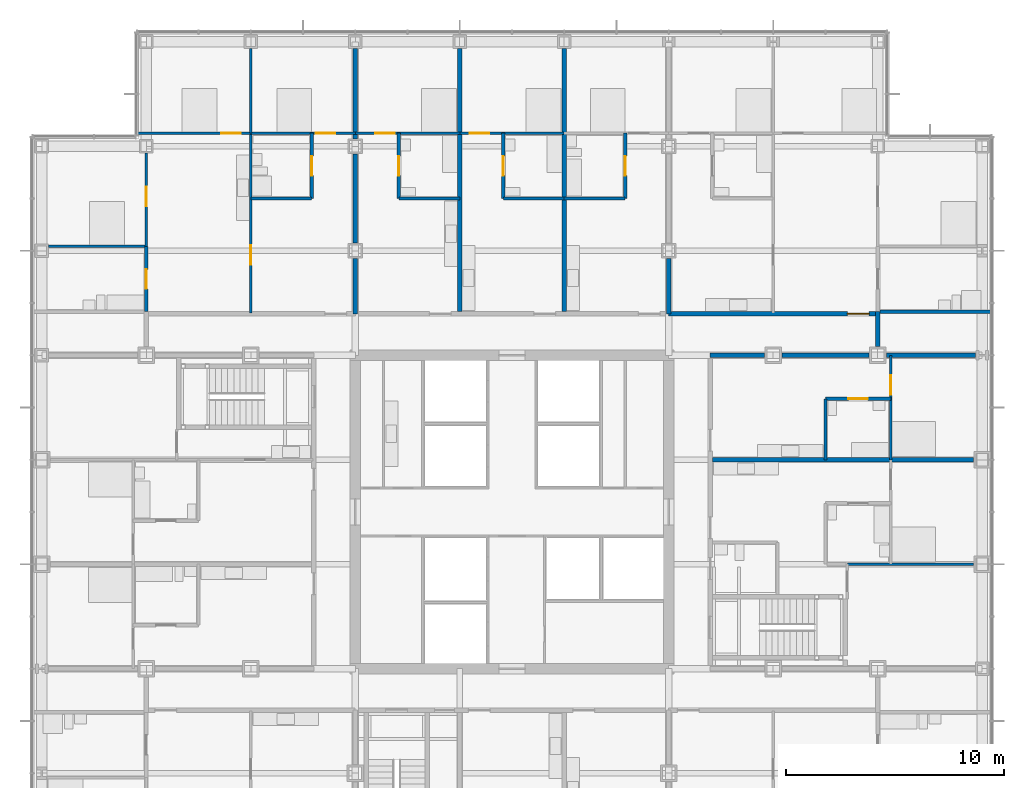
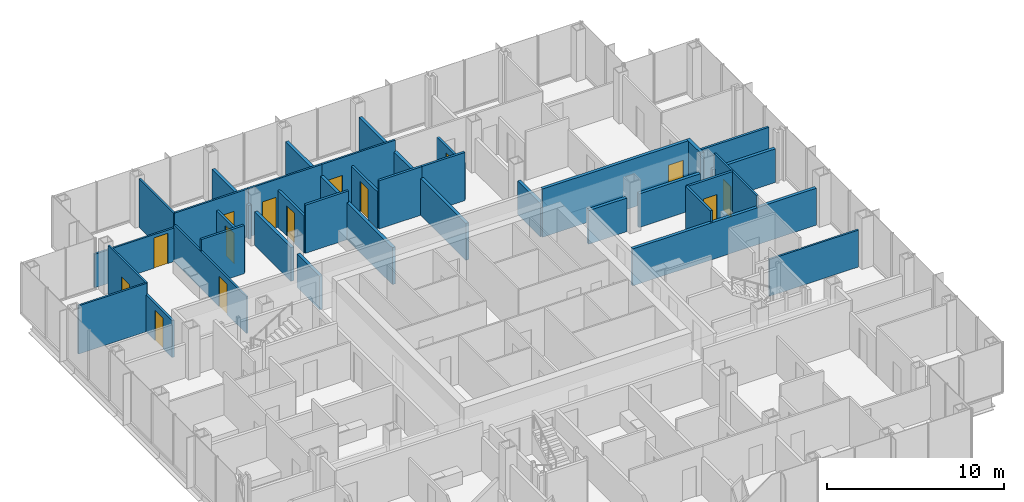
# One storey, part 17 of 21: 34 walls, 14 doors, 14 openings.
"""IFC4 building model written with IfcOpenShell, lengths in metres."""

from ifc_helpers import new_model, si_unit, direction, frame, frame_2d, origin, place, context, subcontext, project, spatial, rectangle, extrude, material, layer, layer_set, type_object, element, fill, save


model = new_model("IFC4")

# Units and contexts
model_context = context("Model", 3, precision=1e-05, world=origin(), true_north=direction((0.0, 1.0)))
body_context = subcontext(model_context, "Body", "Model", "MODEL_VIEW")
ifc_project = project(units=[si_unit("LENGTHUNIT", "METRE"), si_unit("AREAUNIT", "SQUARE_METRE"), si_unit("VOLUMEUNIT", "CUBIC_METRE"), si_unit("PLANEANGLEUNIT", "RADIAN"), si_unit("MASSUNIT", "GRAM", prefix="KILO")], contexts=[model_context])

# Site, building, storey
site_placement = place(None, origin())
site = spatial("IfcSite", under=ifc_project, at=site_placement, CompositionType="ELEMENT")
building_placement = place(site_placement, origin())
building = spatial("IfcBuilding", under=site, at=building_placement, Name="Kvirike Care Tower", CompositionType="ELEMENT")
storey_placement = place(building_placement, frame((0.0, 0.0, 51.5)))
storey = spatial("IfcBuildingStorey", under=building, at=storey_placement, Name="L13", CompositionType="ELEMENT", Elevation=51.5)

# Wall, opening, door
ifc_material_1 = material(Name="Moisture-resistant board partition", Category="gypsum")
ifc_layer_1 = layer(ifc_material_1, 0.14990234375)
ifc_layer_set_1 = layer_set([ifc_layer_1], Name="BATHROOM WALL 150")
wall_type_1 = type_object("IfcWallType", Name="BATHROOM WALL 150", PredefinedType="PARTITIONING", material=ifc_layer_set_1)
wall_1_placement = place(storey_placement, frame((12.39990234375, 53.39990234375, 0.0), z_axis=(0.0, 0.0, 1.0), x_axis=(0.0, -1.0, 0.0)))
wall_1 = element("IfcWall", 1, at=wall_1_placement, inside=storey, type_object=wall_type_1, Name="Bathroom Wall 150 L13", PredefinedType="PARTITIONING", context=body_context, shape_type="SweptSolid", body=[
    extrude(rectangle(XDim=3.0, YDim=0.14990234375, at=frame_2d((1.5, 0.0))), origin(), (0.0, 0.0, 1.0), 2.550048828125),
])
opening_1_placement = place(wall_1_placement, frame((1.050048828125, 0.0, 0.0)))
opening_1 = element("IfcOpeningElement", 2, at=opening_1_placement, cuts=wall_1, Name="Opening 13-017", PredefinedType="OPENING", context=body_context, shape_type="SweptSolid", body=[
    extrude(rectangle(XDim=0.89990234375, YDim=2.10009765625, at=frame_2d((0.449951171875, 1.050048828125))), frame((0.0, 0.08544921875, 0.0), z_axis=(0.0, -1.0, 0.0), x_axis=(1.0, 0.0, 0.0)), (0.0, 0.0, 1.0), 0.1708984375),
])
ifc_material_2 = material(Name="Timber door set", Category="wood")
door_type_1 = type_object("IfcDoorType", Name="BATHROOM DOOR 900", OperationType="SINGLE_SWING_RIGHT", PredefinedType="DOOR", material=ifc_material_2)
door_1_placement = place(opening_1_placement, frame((0.89990234375, 0.0, 0.0), z_axis=(0.0, 0.0, 1.0), x_axis=(-1.0, 0.0, 0.0)))
door_1 = element("IfcDoor", 3, at=door_1_placement, inside=storey, type_object=door_type_1, Name="Shower room door", OperationType="SINGLE_SWING_LEFT", OverallHeight=2.10009765625, OverallWidth=0.89990234375, PredefinedType="DOOR", context=body_context, shape_type="SweptSolid", body=[
    extrude(rectangle(XDim=0.89990234375, YDim=2.10009765625, at=frame_2d((0.449951171875, 1.050048828125))), frame((0.0, 0.02197265625, 0.0), z_axis=(0.0, -1.0, 0.0), x_axis=(1.0, 0.0, 0.0)), (0.0, 0.0, 1.0), 0.0439453125),
])
fill(opening_1, door_1)

# Wall
wall_2_placement = place(storey_placement, frame((12.39990234375, 50.39990234375, 0.0), z_axis=(0.0, 0.0, 1.0), x_axis=(-1.0, 0.0, 0.0)))
element("IfcWall", 4, at=wall_2_placement, inside=storey, type_object=wall_type_1, Name="Bathroom Wall 150 L13", PredefinedType="PARTITIONING", context=body_context, shape_type="SweptSolid", body=[
    extrude(rectangle(XDim=2.7998046875, YDim=0.14990234375, at=frame_2d((1.39990234375, 0.0))), origin(), (0.0, 0.0, 1.0), 3.330078125),
])

# Wall, opening, door
wall_3_placement = place(storey_placement, frame((4.800048828125, 48.199951171875, 0.0), z_axis=(0.0, 0.0, 1.0), x_axis=(0.0, -1.0, 0.0)))
wall_3 = element("IfcWall", 5, at=wall_3_placement, inside=storey, type_object=wall_type_1, Name="Bathroom Wall 150 L13", PredefinedType="PARTITIONING", context=body_context, shape_type="SweptSolid", body=[
    extrude(rectangle(XDim=3.0, YDim=0.14990234375, at=frame_2d((1.5, 0.0))), origin(), (0.0, 0.0, 1.0), 2.550048828125),
])
opening_2_placement = place(wall_3_placement, frame((1.050048828125, 0.0, 0.0)))
opening_2 = element("IfcOpeningElement", 6, at=opening_2_placement, cuts=wall_3, Name="Opening 13-018", PredefinedType="OPENING", context=body_context, shape_type="SweptSolid", body=[
    extrude(rectangle(XDim=0.89990234375, YDim=2.10009765625, at=frame_2d((0.449951171875, 1.050048828125))), frame((0.0, 0.08544921875, 0.0), z_axis=(0.0, -1.0, 0.0), x_axis=(1.0, 0.0, 0.0)), (0.0, 0.0, 1.0), 0.1708984375),
])
door_2_placement = place(opening_2_placement, frame((0.89990234375, 0.0, 0.0), z_axis=(0.0, 0.0, 1.0), x_axis=(-1.0, 0.0, 0.0)))
door_2 = element("IfcDoor", 7, at=door_2_placement, inside=storey, type_object=door_type_1, Name="Bathroom door", OperationType="SINGLE_SWING_RIGHT", OverallHeight=2.10009765625, OverallWidth=0.89990234375, PredefinedType="DOOR", context=body_context, shape_type="SweptSolid", body=[
    extrude(rectangle(XDim=0.89990234375, YDim=2.10009765625, at=frame_2d((0.449951171875, 1.050048828125))), frame((0.0, 0.02197265625, 0.0), z_axis=(0.0, -1.0, 0.0), x_axis=(1.0, 0.0, 0.0)), (0.0, 0.0, 1.0), 0.0439453125),
])
fill(opening_2, door_2)

wall_4_placement = place(storey_placement, frame((26.800048828125, 53.39990234375, 0.0), z_axis=(0.0, 0.0, 1.0), x_axis=(0.0, -1.0, 0.0)))
wall_4 = element("IfcWall", 8, at=wall_4_placement, inside=storey, type_object=wall_type_1, Name="Bathroom Wall 150 L13", PredefinedType="PARTITIONING", context=body_context, shape_type="SweptSolid", body=[
    extrude(rectangle(XDim=3.0, YDim=0.14990234375, at=frame_2d((1.5, 0.0))), origin(), (0.0, 0.0, 1.0), 2.550048828125),
])
opening_3_placement = place(wall_4_placement, frame((1.050048828125, 0.0, 0.0)))
opening_3 = element("IfcOpeningElement", 9, at=opening_3_placement, cuts=wall_4, Name="Opening 13-032", PredefinedType="OPENING", context=body_context, shape_type="SweptSolid", body=[
    extrude(rectangle(XDim=0.89990234375, YDim=2.10009765625, at=frame_2d((0.449951171875, 1.050048828125))), frame((0.0, 0.08544921875, 0.0), z_axis=(0.0, -1.0, 0.0), x_axis=(1.0, 0.0, 0.0)), (0.0, 0.0, 1.0), 0.1708984375),
])
door_3_placement = place(opening_3_placement, frame((0.89990234375, 0.0, 0.0), z_axis=(0.0, 0.0, 1.0), x_axis=(-1.0, 0.0, 0.0)))
door_3 = element("IfcDoor", 10, at=door_3_placement, inside=storey, type_object=door_type_1, Name="Bathroom door", OperationType="SINGLE_SWING_RIGHT", OverallHeight=2.10009765625, OverallWidth=0.89990234375, PredefinedType="DOOR", context=body_context, shape_type="SweptSolid", body=[
    extrude(rectangle(XDim=0.89990234375, YDim=2.10009765625, at=frame_2d((0.449951171875, 1.050048828125))), frame((0.0, 0.02197265625, 0.0), z_axis=(0.0, -1.0, 0.0), x_axis=(1.0, 0.0, 0.0)), (0.0, 0.0, 1.0), 0.0439453125),
])
fill(opening_3, door_3)

# Wall
wall_5_placement = place(storey_placement, frame((26.800048828125, 50.39990234375, 0.0), z_axis=(0.0, 0.0, 1.0), x_axis=(-1.0, 0.0, 0.0)))
element("IfcWall", 11, at=wall_5_placement, inside=storey, type_object=wall_type_1, Name="Bathroom Wall 150 L13", PredefinedType="PARTITIONING", context=body_context, shape_type="SweptSolid", body=[
    extrude(rectangle(XDim=2.800048828125, YDim=0.14990234375, at=frame_2d((1.39990234375, 0.0))), origin(), (0.0, 0.0, 1.0), 3.330078125),
])

# Wall, opening, door
wall_6_placement = place(storey_placement, frame((21.199951171875, 53.39990234375, 0.0), z_axis=(0.0, 0.0, 1.0), x_axis=(0.0, -1.0, 0.0)))
wall_6 = element("IfcWall", 12, at=wall_6_placement, inside=storey, type_object=wall_type_1, Name="Bathroom Wall 150 L13", PredefinedType="PARTITIONING", context=body_context, shape_type="SweptSolid", body=[
    extrude(rectangle(XDim=3.0, YDim=0.14990234375, at=frame_2d((1.5, 0.0))), origin(), (0.0, 0.0, 1.0), 2.550048828125),
])
opening_4_placement = place(wall_6_placement, frame((1.050048828125, 0.0, 0.0)))
opening_4 = element("IfcOpeningElement", 13, at=opening_4_placement, cuts=wall_6, Name="Opening 13-034", PredefinedType="OPENING", context=body_context, shape_type="SweptSolid", body=[
    extrude(rectangle(XDim=0.89990234375, YDim=2.10009765625, at=frame_2d((0.449951171875, 1.050048828125))), frame((0.0, 0.08544921875, 0.0), z_axis=(0.0, -1.0, 0.0), x_axis=(1.0, 0.0, 0.0)), (0.0, 0.0, 1.0), 0.1708984375),
])
door_4_placement = place(opening_4_placement, origin())
door_4 = element("IfcDoor", 14, at=door_4_placement, inside=storey, type_object=door_type_1, Name="Bathroom door", OperationType="SINGLE_SWING_RIGHT", OverallHeight=2.10009765625, OverallWidth=0.89990234375, PredefinedType="DOOR", context=body_context, shape_type="SweptSolid", body=[
    extrude(rectangle(XDim=0.89990234375, YDim=2.10009765625, at=frame_2d((0.449951171875, 1.050048828125))), frame((0.0, 0.02197265625, 0.0), z_axis=(0.0, -1.0, 0.0), x_axis=(1.0, 0.0, 0.0)), (0.0, 0.0, 1.0), 0.0439453125),
])
fill(opening_4, door_4)

# Wall
wall_7_placement = place(storey_placement, frame((24.0, 50.39990234375, 0.0), z_axis=(0.0, 0.0, 1.0), x_axis=(-1.0, 0.0, 0.0)))
element("IfcWall", 15, at=wall_7_placement, inside=storey, type_object=wall_type_1, Name="Bathroom Wall 150 L13", PredefinedType="PARTITIONING", context=body_context, shape_type="SweptSolid", body=[
    extrude(rectangle(XDim=2.800048828125, YDim=0.14990234375, at=frame_2d((1.39990234375, 0.0))), origin(), (0.0, 0.0, 1.0), 3.330078125),
])

# Wall, opening, door
wall_8_placement = place(storey_placement, frame((16.39990234375, 53.39990234375, 0.0), z_axis=(0.0, 0.0, 1.0), x_axis=(0.0, -1.0, 0.0)))
wall_8 = element("IfcWall", 16, at=wall_8_placement, inside=storey, type_object=wall_type_1, Name="Bathroom Wall 150 L13", PredefinedType="PARTITIONING", context=body_context, shape_type="SweptSolid", body=[
    extrude(rectangle(XDim=3.0, YDim=0.14990234375, at=frame_2d((1.5, 0.0))), origin(), (0.0, 0.0, 1.0), 2.550048828125),
])
opening_5_placement = place(wall_8_placement, frame((1.050048828125, 0.0, 0.0)))
opening_5 = element("IfcOpeningElement", 17, at=opening_5_placement, cuts=wall_8, Name="Opening 13-036", PredefinedType="OPENING", context=body_context, shape_type="SweptSolid", body=[
    extrude(rectangle(XDim=0.89990234375, YDim=2.10009765625, at=frame_2d((0.449951171875, 1.050048828125))), frame((0.0, 0.08544921875, 0.0), z_axis=(0.0, -1.0, 0.0), x_axis=(1.0, 0.0, 0.0)), (0.0, 0.0, 1.0), 0.1708984375),
])
door_5_placement = place(opening_5_placement, origin())
door_5 = element("IfcDoor", 18, at=door_5_placement, inside=storey, type_object=door_type_1, Name="Bathroom door", OperationType="SINGLE_SWING_LEFT", OverallHeight=2.10009765625, OverallWidth=0.89990234375, PredefinedType="DOOR", context=body_context, shape_type="SweptSolid", body=[
    extrude(rectangle(XDim=0.89990234375, YDim=2.10009765625, at=frame_2d((0.449951171875, 1.050048828125))), frame((0.0, 0.02197265625, 0.0), z_axis=(0.0, -1.0, 0.0), x_axis=(1.0, 0.0, 0.0)), (0.0, 0.0, 1.0), 0.0439453125),
])
fill(opening_5, door_5)

# Wall
wall_9_placement = place(storey_placement, frame((19.199951171875, 50.39990234375, 0.0), z_axis=(0.0, 0.0, 1.0), x_axis=(-1.0, 0.0, 0.0)))
element("IfcWall", 19, at=wall_9_placement, inside=storey, type_object=wall_type_1, Name="Bathroom Wall 150 L13", PredefinedType="PARTITIONING", context=body_context, shape_type="SweptSolid", body=[
    extrude(rectangle(XDim=2.800048828125, YDim=0.14990234375, at=frame_2d((1.39990234375, 0.0))), origin(), (0.0, 0.0, 1.0), 3.330078125),
])

# Wall, opening, door
wall_10_placement = place(storey_placement, frame((39.0, 41.199951171875, 0.0), z_axis=(0.0, 0.0, 1.0), x_axis=(-1.0, 0.0, 0.0)))
wall_10 = element("IfcWall", 20, at=wall_10_placement, inside=storey, type_object=wall_type_1, Name="Bathroom Wall 150 L13", PredefinedType="PARTITIONING", context=body_context, shape_type="SweptSolid", body=[
    extrude(rectangle(XDim=3.0, YDim=0.14990234375, at=frame_2d((1.5, 0.0))), origin(), (0.0, 0.0, 1.0), 3.330078125),
])
opening_6_placement = place(wall_10_placement, frame((1.050048828125, 0.0, 0.0)))
opening_6 = element("IfcOpeningElement", 21, at=opening_6_placement, cuts=wall_10, Name="Opening 13-051", PredefinedType="OPENING", context=body_context, shape_type="SweptSolid", body=[
    extrude(rectangle(XDim=0.89990234375, YDim=2.10009765625, at=frame_2d((0.449951171875, 1.050048828125))), frame((0.0, 0.08544921875, 0.0), z_axis=(0.0, -1.0, 0.0), x_axis=(1.0, 0.0, 0.0)), (0.0, 0.0, 1.0), 0.1708984375),
])
door_6_placement = place(opening_6_placement, origin())
door_6 = element("IfcDoor", 22, at=door_6_placement, inside=storey, type_object=door_type_1, Name="Bathroom door", OperationType="SINGLE_SWING_LEFT", OverallHeight=2.10009765625, OverallWidth=0.89990234375, PredefinedType="DOOR", context=body_context, shape_type="SweptSolid", body=[
    extrude(rectangle(XDim=0.89990234375, YDim=2.10009765625, at=frame_2d((0.449951171875, 1.050048828125))), frame((0.0, 0.02197265625, 0.0), z_axis=(0.0, -1.0, 0.0), x_axis=(1.0, 0.0, 0.0)), (0.0, 0.0, 1.0), 0.0439453125),
])
fill(opening_6, door_6)

# Walls
wall_11_placement = place(storey_placement, frame((36.0, 38.39990234375, 0.0), z_axis=(0.0, 0.0, 1.0), x_axis=(0.0, 1.0, 0.0)))
element("IfcWall", 23, at=wall_11_placement, inside=storey, type_object=wall_type_1, Name="Bathroom Wall 150 L13", PredefinedType="PARTITIONING", context=body_context, shape_type="SweptSolid", body=[
    extrude(rectangle(XDim=2.800048828125, YDim=0.14990234375, at=frame_2d((1.39990234375, 0.0))), origin(), (0.0, 0.0, 1.0), 3.330078125),
])
wall_12_placement = place(storey_placement, frame((43.6298828125, 45.199951171875, 0.0), z_axis=(0.0, 0.0, 1.0), x_axis=(-1.0, 0.0, 0.0)))
element("IfcWall", 24, at=wall_12_placement, inside=storey, type_object=wall_type_1, Name="Bathroom Wall 150 L13", PredefinedType="PARTITIONING", context=body_context, shape_type="SweptSolid", body=[
    extrude(rectangle(XDim=5.1298828125, YDim=0.14990234375, at=frame_2d((2.56494140625, 0.0))), origin(), (0.0, 0.0, 1.0), 2.320068359375),
])

# Wall, opening, door
ifc_material_3 = material(Name="Plasterboard corridor wall", Category="gypsum")
ifc_layer_2 = layer(ifc_material_3, 0.199951171875)
ifc_layer_set_2 = layer_set([ifc_layer_2], Name="CORRIDOR WALL 200")
wall_type_2 = type_object("IfcWallType", Name="CORRIDOR WALL 200", PredefinedType="PARTITIONING", material=ifc_layer_set_2)
wall_13_placement = place(storey_placement, frame((38.39990234375, 45.10009765625, 0.0), z_axis=(0.0, 0.0, 1.0), x_axis=(-1.0, 0.0, 0.0)))
wall_13 = element("IfcWall", 25, at=wall_13_placement, inside=storey, type_object=wall_type_2, Name="Corridor Wall 200 L13", PredefinedType="PARTITIONING", context=body_context, shape_type="SweptSolid", body=[
    extrude(rectangle(XDim=9.599853515625, YDim=0.199951171875, at=frame_2d((4.7998046875, 0.0))), origin(), (0.0, 0.0, 1.0), 3.330078125),
])
opening_7_placement = place(wall_13_placement, frame((0.39990234375, 0.0, 0.0)))
opening_7 = element("IfcOpeningElement", 26, at=opening_7_placement, cuts=wall_13, Name="Opening 13-063", PredefinedType="OPENING", context=body_context, shape_type="SweptSolid", body=[
    extrude(rectangle(XDim=1.0, YDim=2.10009765625, at=frame_2d((0.5, 1.050048828125))), frame((0.0, 0.110595703125, 0.0), z_axis=(0.0, -1.0, 0.0), x_axis=(1.0, 0.0, 0.0)), (0.0, 0.0, 1.0), 0.220947265625),
])
ifc_material_4 = material(Name="Timber door set", Category="wood")
door_type_2 = type_object("IfcDoorType", Name="FLAT ENTRANCE DOOR 1000", OperationType="SINGLE_SWING_LEFT", PredefinedType="DOOR", material=ifc_material_4)
door_7_placement = place(opening_7_placement, frame((1.0, 0.0, 0.0), z_axis=(0.0, 0.0, 1.0), x_axis=(-1.0, 0.0, 0.0)))
door_7 = element("IfcDoor", 27, at=door_7_placement, inside=storey, type_object=door_type_2, Name="Three-bedroom corner apartment entrance", OperationType="SINGLE_SWING_LEFT", OverallHeight=2.10009765625, OverallWidth=1.0, PredefinedType="DOOR", context=body_context, shape_type="SweptSolid", body=[
    extrude(rectangle(XDim=1.0, YDim=2.10009765625, at=frame_2d((0.5, 1.050048828125))), frame((0.0, 0.02685546875, 0.0), z_axis=(0.0, -1.0, 0.0), x_axis=(1.0, 0.0, 0.0)), (0.0, 0.0, 1.0), 0.053955078125),
])
fill(opening_7, door_7)

# Wall
wall_14_placement = place(storey_placement, frame((38.39990234375, 45.199951171875, 0.0), z_axis=(0.0, 0.0, 1.0), x_axis=(0.0, -1.0, 0.0)))
element("IfcWall", 28, at=wall_14_placement, inside=storey, type_object=wall_type_2, Name="Corridor Wall 200 L13", PredefinedType="PARTITIONING", context=body_context, shape_type="SweptSolid", body=[
    extrude(rectangle(XDim=1.60498046875, YDim=0.199951171875, at=frame_2d((0.802490234375, 0.0))), origin(), (0.0, 0.0, 1.0), 3.330078125),
])

# Wall, opening, door
ifc_material_5 = material(Name="Plasterboard partition", Category="gypsum")
ifc_layer_3 = layer(ifc_material_5, 0.1201171875)
ifc_layer_set_3 = layer_set([ifc_layer_3], Name="PARTITION 120")
wall_type_3 = type_object("IfcWallType", Name="PARTITION 120", PredefinedType="PARTITIONING", material=ifc_layer_set_3)
wall_15_placement = place(storey_placement, frame((9.60009765625, 53.39990234375, 0.0), z_axis=(0.0, 0.0, 1.0), x_axis=(0.0, -1.0, 0.0)))
wall_15 = element("IfcWall", 29, at=wall_15_placement, inside=storey, type_object=wall_type_3, Name="Partition 120 L13", PredefinedType="PARTITIONING", context=body_context, shape_type="SweptSolid", body=[
    extrude(rectangle(XDim=8.25, YDim=0.1201171875, at=frame_2d((4.125, 0.0))), origin(), (0.0, 0.0, 1.0), 2.550048828125),
])
opening_8_placement = place(wall_15_placement, frame((5.14990234375, 0.0, 0.0)))
opening_8 = element("IfcOpeningElement", 30, at=opening_8_placement, cuts=wall_15, Name="Opening 13-019", PredefinedType="OPENING", context=body_context, shape_type="SweptSolid", body=[
    extrude(rectangle(XDim=0.89990234375, YDim=2.10009765625, at=frame_2d((0.449951171875, 1.050048828125))), frame((0.0, 0.070556640625, 0.0), z_axis=(0.0, -1.0, 0.0), x_axis=(1.0, 0.0, 0.0)), (0.0, 0.0, 1.0), 0.14111328125),
])
ifc_material_6 = material(Name="Timber door set", Category="wood")
door_type_3 = type_object("IfcDoorType", Name="INTERNAL DOOR 900", OperationType="SINGLE_SWING_LEFT", PredefinedType="DOOR", material=ifc_material_6)
door_8_placement = place(opening_8_placement, origin())
door_8 = element("IfcDoor", 31, at=door_8_placement, inside=storey, type_object=door_type_3, Name="Hall door", OperationType="SINGLE_SWING_RIGHT", OverallHeight=2.10009765625, OverallWidth=0.89990234375, PredefinedType="DOOR", context=body_context, shape_type="SweptSolid", body=[
    extrude(rectangle(XDim=0.89990234375, YDim=2.10009765625, at=frame_2d((0.449951171875, 1.050048828125))), frame((0.0, 0.02197265625, 0.0), z_axis=(0.0, -1.0, 0.0), x_axis=(1.0, 0.0, 0.0)), (0.0, 0.0, 1.0), 0.0439453125),
])
fill(opening_8, door_8)

wall_16_placement = place(storey_placement, frame((14.39990234375, 53.39990234375, 0.0), z_axis=(0.0, 0.0, 1.0), x_axis=(-1.0, 0.0, 0.0)))
wall_16 = element("IfcWall", 32, at=wall_16_placement, inside=storey, type_object=wall_type_3, Name="Partition 120 L13", PredefinedType="PARTITIONING", context=body_context, shape_type="SweptSolid", body=[
    extrude(rectangle(XDim=4.7998046875, YDim=0.1201171875, at=frame_2d((2.39990234375, 0.0))), origin(), (0.0, 0.0, 1.0), 3.330078125),
])
opening_9_placement = place(wall_16_placement, frame((0.925048828125, 0.0, 0.0)))
opening_9 = element("IfcOpeningElement", 33, at=opening_9_placement, cuts=wall_16, Name="Opening 13-020", PredefinedType="OPENING", context=body_context, shape_type="SweptSolid", body=[
    extrude(rectangle(XDim=0.89990234375, YDim=2.10009765625, at=frame_2d((0.449951171875, 1.050048828125))), frame((0.0, 0.070556640625, 0.0), z_axis=(0.0, -1.0, 0.0), x_axis=(1.0, 0.0, 0.0)), (0.0, 0.0, 1.0), 0.14111328125),
])
door_9_placement = place(opening_9_placement, frame((0.89990234375, 0.0, 0.0), z_axis=(0.0, 0.0, 1.0), x_axis=(-1.0, 0.0, 0.0)))
door_9 = element("IfcDoor", 34, at=door_9_placement, inside=storey, type_object=door_type_3, Name="Apartment bedroom door", OperationType="SINGLE_SWING_LEFT", OverallHeight=2.10009765625, OverallWidth=0.89990234375, PredefinedType="DOOR", context=body_context, shape_type="SweptSolid", body=[
    extrude(rectangle(XDim=0.89990234375, YDim=2.10009765625, at=frame_2d((0.449951171875, 1.050048828125))), frame((0.0, 0.02197265625, 0.0), z_axis=(0.0, -1.0, 0.0), x_axis=(1.0, 0.0, 0.0)), (0.0, 0.0, 1.0), 0.0439453125),
])
fill(opening_9, door_9)

wall_17_placement = place(storey_placement, frame((9.60009765625, 53.39990234375, 0.0), z_axis=(0.0, 0.0, 1.0), x_axis=(-1.0, 0.0, 0.0)))
wall_17 = element("IfcWall", 35, at=wall_17_placement, inside=storey, type_object=wall_type_3, Name="Partition 120 L13", PredefinedType="PARTITIONING", context=body_context, shape_type="SweptSolid", body=[
    extrude(rectangle(XDim=5.235107421875, YDim=0.1201171875, at=frame_2d((2.61767578125, 0.0))), origin(), (0.0, 0.0, 1.0), 2.320068359375),
])
opening_10_placement = place(wall_17_placement, frame((0.449951171875, 0.0, 0.0)))
opening_10 = element("IfcOpeningElement", 36, at=opening_10_placement, cuts=wall_17, Name="Opening 13-021", PredefinedType="OPENING", context=body_context, shape_type="SweptSolid", body=[
    extrude(rectangle(XDim=0.89990234375, YDim=2.10009765625, at=frame_2d((0.449951171875, 1.050048828125))), frame((0.0, 0.070556640625, 0.0), z_axis=(0.0, -1.0, 0.0), x_axis=(1.0, 0.0, 0.0)), (0.0, 0.0, 1.0), 0.14111328125),
])
door_10_placement = place(opening_10_placement, frame((0.89990234375, 0.0, 0.0), z_axis=(0.0, 0.0, 1.0), x_axis=(-1.0, 0.0, 0.0)))
door_10 = element("IfcDoor", 37, at=door_10_placement, inside=storey, type_object=door_type_3, Name="Apartment bedroom door", OperationType="SINGLE_SWING_LEFT", OverallHeight=2.10009765625, OverallWidth=0.89990234375, PredefinedType="DOOR", context=body_context, shape_type="SweptSolid", body=[
    extrude(rectangle(XDim=0.89990234375, YDim=2.10009765625, at=frame_2d((0.449951171875, 1.050048828125))), frame((0.0, 0.02197265625, 0.0), z_axis=(0.0, -1.0, 0.0), x_axis=(1.0, 0.0, 0.0)), (0.0, 0.0, 1.0), 0.0439453125),
])
fill(opening_10, door_10)

# Walls
wall_18_placement = place(storey_placement, frame((4.800048828125, 48.199951171875, 0.0), z_axis=(0.0, 0.0, 1.0), x_axis=(-1.0, 0.0, 0.0)))
element("IfcWall", 38, at=wall_18_placement, inside=storey, type_object=wall_type_3, Name="Partition 120 L13", PredefinedType="PARTITIONING", context=body_context, shape_type="SweptSolid", body=[
    extrude(rectangle(XDim=4.47998046875, YDim=0.1201171875, at=frame_2d((2.239990234375, 0.0))), origin(), (0.0, 0.0, 1.0), 3.330078125),
])
wall_19_placement = place(storey_placement, frame((9.60009765625, 57.280029296875, 0.0), z_axis=(0.0, 0.0, 1.0), x_axis=(0.0, -1.0, 0.0)))
element("IfcWall", 39, at=wall_19_placement, inside=storey, type_object=wall_type_3, Name="Partition 120 L13", PredefinedType="PARTITIONING", context=body_context, shape_type="SweptSolid", body=[
    extrude(rectangle(XDim=3.880126953125, YDim=0.1201171875, at=frame_2d((1.93994140625, 0.0))), origin(), (0.0, 0.0, 1.0), 3.330078125),
])

# Wall, opening, door
wall_20_placement = place(storey_placement, frame((4.800048828125, 52.47998046875, 0.0), z_axis=(0.0, 0.0, 1.0), x_axis=(0.0, -1.0, 0.0)))
wall_20 = element("IfcWall", 40, at=wall_20_placement, inside=storey, type_object=wall_type_3, Name="Partition 120 L13", PredefinedType="PARTITIONING", context=body_context, shape_type="SweptSolid", body=[
    extrude(rectangle(XDim=4.280029296875, YDim=0.1201171875, at=frame_2d((2.14013671875, 0.0))), origin(), (0.0, 0.0, 1.0), 3.330078125),
])
opening_11_placement = place(wall_20_placement, frame((1.530029296875, 0.0, 0.0)))
opening_11 = element("IfcOpeningElement", 41, at=opening_11_placement, cuts=wall_20, Name="Opening 13-022", PredefinedType="OPENING", context=body_context, shape_type="SweptSolid", body=[
    extrude(rectangle(XDim=0.89990234375, YDim=2.10009765625, at=frame_2d((0.449951171875, 1.050048828125))), frame((0.0, 0.070556640625, 0.0), z_axis=(0.0, -1.0, 0.0), x_axis=(1.0, 0.0, 0.0)), (0.0, 0.0, 1.0), 0.14111328125),
])
door_11_placement = place(opening_11_placement, frame((0.89990234375, 0.0, 0.0), z_axis=(0.0, 0.0, 1.0), x_axis=(-1.0, 0.0, 0.0)))
door_11 = element("IfcDoor", 42, at=door_11_placement, inside=storey, type_object=door_type_3, Name="Connecting door", OperationType="SINGLE_SWING_RIGHT", OverallHeight=2.10009765625, OverallWidth=0.89990234375, PredefinedType="DOOR", context=body_context, shape_type="SweptSolid", body=[
    extrude(rectangle(XDim=0.89990234375, YDim=2.10009765625, at=frame_2d((0.449951171875, 1.050048828125))), frame((0.0, 0.02197265625, 0.0), z_axis=(0.0, -1.0, 0.0), x_axis=(1.0, 0.0, 0.0)), (0.0, 0.0, 1.0), 0.0439453125),
])
fill(opening_11, door_11)

wall_21_placement = place(storey_placement, frame((24.0, 53.39990234375, 0.0), z_axis=(0.0, 0.0, 1.0), x_axis=(-1.0, 0.0, 0.0)))
wall_21 = element("IfcWall", 43, at=wall_21_placement, inside=storey, type_object=wall_type_3, Name="Partition 120 L13", PredefinedType="PARTITIONING", context=body_context, shape_type="SweptSolid", body=[
    extrude(rectangle(XDim=4.800048828125, YDim=0.1201171875, at=frame_2d((2.39990234375, 0.0))), origin(), (0.0, 0.0, 1.0), 3.330078125),
])
opening_12_placement = place(wall_21_placement, frame((3.449951171875, 0.0, 0.0)))
opening_12 = element("IfcOpeningElement", 44, at=opening_12_placement, cuts=wall_21, Name="Opening 13-035", PredefinedType="OPENING", context=body_context, shape_type="SweptSolid", body=[
    extrude(rectangle(XDim=0.89990234375, YDim=2.10009765625, at=frame_2d((0.449951171875, 1.050048828125))), frame((0.0, 0.070556640625, 0.0), z_axis=(0.0, -1.0, 0.0), x_axis=(1.0, 0.0, 0.0)), (0.0, 0.0, 1.0), 0.14111328125),
])
door_12_placement = place(opening_12_placement, frame((0.89990234375, 0.0, 0.0), z_axis=(0.0, 0.0, 1.0), x_axis=(-1.0, 0.0, 0.0)))
door_12 = element("IfcDoor", 45, at=door_12_placement, inside=storey, type_object=door_type_3, Name="Studio apartment living room door", OperationType="SINGLE_SWING_RIGHT", OverallHeight=2.10009765625, OverallWidth=0.89990234375, PredefinedType="DOOR", context=body_context, shape_type="SweptSolid", body=[
    extrude(rectangle(XDim=0.89990234375, YDim=2.10009765625, at=frame_2d((0.449951171875, 1.050048828125))), frame((0.0, 0.02197265625, 0.0), z_axis=(0.0, -1.0, 0.0), x_axis=(1.0, 0.0, 0.0)), (0.0, 0.0, 1.0), 0.0439453125),
])
fill(opening_12, door_12)

wall_22_placement = place(storey_placement, frame((19.199951171875, 53.39990234375, 0.0), z_axis=(0.0, 0.0, 1.0), x_axis=(-1.0, 0.0, 0.0)))
wall_22 = element("IfcWall", 46, at=wall_22_placement, inside=storey, type_object=wall_type_3, Name="Partition 120 L13", PredefinedType="PARTITIONING", context=body_context, shape_type="SweptSolid", body=[
    extrude(rectangle(XDim=4.800048828125, YDim=0.1201171875, at=frame_2d((2.39990234375, 0.0))), origin(), (0.0, 0.0, 1.0), 3.330078125),
])
opening_13_placement = place(wall_22_placement, frame((2.97509765625, 0.0, 0.0)))
opening_13 = element("IfcOpeningElement", 47, at=opening_13_placement, cuts=wall_22, Name="Opening 13-037", PredefinedType="OPENING", context=body_context, shape_type="SweptSolid", body=[
    extrude(rectangle(XDim=0.89990234375, YDim=2.10009765625, at=frame_2d((0.449951171875, 1.050048828125))), frame((0.0, 0.070556640625, 0.0), z_axis=(0.0, -1.0, 0.0), x_axis=(1.0, 0.0, 0.0)), (0.0, 0.0, 1.0), 0.14111328125),
])
door_13_placement = place(opening_13_placement, frame((0.89990234375, 0.0, 0.0), z_axis=(0.0, 0.0, 1.0), x_axis=(-1.0, 0.0, 0.0)))
door_13 = element("IfcDoor", 48, at=door_13_placement, inside=storey, type_object=door_type_3, Name="Studio apartment living room door", OperationType="SINGLE_SWING_RIGHT", OverallHeight=2.10009765625, OverallWidth=0.89990234375, PredefinedType="DOOR", context=body_context, shape_type="SweptSolid", body=[
    extrude(rectangle(XDim=0.89990234375, YDim=2.10009765625, at=frame_2d((0.449951171875, 1.050048828125))), frame((0.0, 0.02197265625, 0.0), z_axis=(0.0, -1.0, 0.0), x_axis=(1.0, 0.0, 0.0)), (0.0, 0.0, 1.0), 0.0439453125),
])
fill(opening_13, door_13)

# Wall
wall_23_placement = place(storey_placement, frame((42.804931640625, 33.60009765625, 0.0), z_axis=(0.0, 0.0, 1.0), x_axis=(-1.0, 0.0, 0.0)))
element("IfcWall", 49, at=wall_23_placement, inside=storey, type_object=wall_type_3, Name="Partition 120 L13", PredefinedType="PARTITIONING", context=body_context, shape_type="SweptSolid", body=[
    extrude(rectangle(XDim=5.804931640625, YDim=0.1201171875, at=frame_2d((2.90234375, 0.0))), origin(), (0.0, 0.0, 1.0), 2.550048828125),
])

# Wall, opening, door
wall_24_placement = place(storey_placement, frame((39.0, 38.39990234375, 0.0), z_axis=(0.0, 0.0, 1.0), x_axis=(0.0, 1.0, 0.0)))
wall_24 = element("IfcWall", 50, at=wall_24_placement, inside=storey, type_object=wall_type_3, Name="Partition 120 L13", PredefinedType="PARTITIONING", context=body_context, shape_type="SweptSolid", body=[
    extrude(rectangle(XDim=4.800048828125, YDim=0.1201171875, at=frame_2d((2.39990234375, 0.0))), origin(), (0.0, 0.0, 1.0), 3.330078125),
])
opening_14_placement = place(wall_24_placement, frame((2.97509765625, 0.0, 0.0)))
opening_14 = element("IfcOpeningElement", 51, at=opening_14_placement, cuts=wall_24, Name="Opening 13-052", PredefinedType="OPENING", context=body_context, shape_type="SweptSolid", body=[
    extrude(rectangle(XDim=0.89990234375, YDim=2.10009765625, at=frame_2d((0.449951171875, 1.050048828125))), frame((0.0, 0.070556640625, 0.0), z_axis=(0.0, -1.0, 0.0), x_axis=(1.0, 0.0, 0.0)), (0.0, 0.0, 1.0), 0.14111328125),
])
door_14_placement = place(opening_14_placement, frame((0.89990234375, 0.0, 0.0), z_axis=(0.0, 0.0, 1.0), x_axis=(-1.0, 0.0, 0.0)))
door_14 = element("IfcDoor", 52, at=door_14_placement, inside=storey, type_object=door_type_3, Name="Studio apartment living room door", OperationType="SINGLE_SWING_RIGHT", OverallHeight=2.10009765625, OverallWidth=0.89990234375, PredefinedType="DOOR", context=body_context, shape_type="SweptSolid", body=[
    extrude(rectangle(XDim=0.89990234375, YDim=2.10009765625, at=frame_2d((0.449951171875, 1.050048828125))), frame((0.0, 0.02197265625, 0.0), z_axis=(0.0, -1.0, 0.0), x_axis=(1.0, 0.0, 0.0)), (0.0, 0.0, 1.0), 0.0439453125),
])
fill(opening_14, door_14)

# Walls
ifc_material_7 = material(Name="Plasterboard party wall", Category="gypsum")
ifc_layer_4 = layer(ifc_material_7, 0.199951171875)
ifc_layer_set_4 = layer_set([ifc_layer_4], Name="PARTY WALL 200")
wall_type_4 = type_object("IfcWallType", Name="PARTY WALL 200", PredefinedType="PARTITIONING", material=ifc_layer_set_4)
for number, where, z_axis, x_axis, name in (
    (53, (24.0, 57.280029296875, 0.0), (0.0, 0.0, 1.0), (0.0, -1.0, 0.0), "Party Wall 200 L13"),
    (54, (19.199951171875, 57.280029296875, 0.0), (0.0, 0.0, 1.0), (0.0, -1.0, 0.0), "Party Wall 200 L13"),
):
    element("IfcWall", number, at=place(storey_placement, frame(where, z_axis=z_axis, x_axis=x_axis)), inside=storey, type_object=wall_type_4, Name=name, PredefinedType="PARTITIONING", context=body_context, shape_type="SweptSolid", body=[
        extrude(rectangle(XDim=12.080078125, YDim=0.199951171875, at=frame_2d((6.0400390625, 0.0))), origin(), (0.0, 0.0, 1.0), 2.550048828125),
    ])
wall_25_placement = place(storey_placement, frame((42.804931640625, 38.39990234375, 0.0), z_axis=(0.0, 0.0, 1.0), x_axis=(-1.0, 0.0, 0.0)))
element("IfcWall", 55, at=wall_25_placement, inside=storey, type_object=wall_type_4, Name="Party Wall 200 L13", PredefinedType="PARTITIONING", context=body_context, shape_type="SweptSolid", body=[
    extrude(rectangle(XDim=12.0048828125, YDim=0.199951171875, at=frame_2d((6.00244140625, 0.0))), origin(), (0.0, 0.0, 1.0), 2.550048828125),
])
wall_26_placement = place(storey_placement, frame((14.39990234375, 45.10009765625, 0.0), z_axis=(0.0, 0.0, 1.0), x_axis=(0.0, 1.0, 0.0)))
element("IfcWall", 56, at=wall_26_placement, inside=storey, type_object=wall_type_4, Name="Party Wall 200 L13", PredefinedType="PARTITIONING", context=body_context, shape_type="SweptSolid", body=[
    extrude(rectangle(XDim=2.554931640625, YDim=0.199951171875, at=frame_2d((1.27734375, 0.0))), origin(), (0.0, 0.0, 1.0), 2.320068359375),
])
wall_27_placement = place(storey_placement, frame((14.39990234375, 48.344970703125, 0.0), z_axis=(0.0, 0.0, 1.0), x_axis=(0.0, 1.0, 0.0)))
element("IfcWall", 57, at=wall_27_placement, inside=storey, type_object=wall_type_4, Name="Party Wall 200 L13", PredefinedType="PARTITIONING", context=body_context, shape_type="SweptSolid", body=[
    extrude(rectangle(XDim=4.110107421875, YDim=0.199951171875, at=frame_2d((2.05517578125, 0.0))), origin(), (0.0, 0.0, 1.0), 2.320068359375),
])
wall_28_placement = place(storey_placement, frame((14.39990234375, 53.14501953125, 0.0), z_axis=(0.0, 0.0, 1.0), x_axis=(0.0, 1.0, 0.0)))
element("IfcWall", 58, at=wall_28_placement, inside=storey, type_object=wall_type_4, Name="Party Wall 200 L13", PredefinedType="PARTITIONING", context=body_context, shape_type="SweptSolid", body=[
    extrude(rectangle(XDim=4.135009765625, YDim=0.199951171875, at=frame_2d((2.0673828125, 0.0))), origin(), (0.0, 0.0, 1.0), 2.320068359375),
])
wall_29_placement = place(storey_placement, frame((28.800048828125, 45.10009765625, 0.0), z_axis=(0.0, 0.0, 1.0), x_axis=(0.0, 1.0, 0.0)))
element("IfcWall", 59, at=wall_29_placement, inside=storey, type_object=wall_type_4, Name="Party Wall 200 L13", PredefinedType="PARTITIONING", context=body_context, shape_type="SweptSolid", body=[
    extrude(rectangle(XDim=2.554931640625, YDim=0.199951171875, at=frame_2d((1.27734375, 0.0))), origin(), (0.0, 0.0, 1.0), 2.320068359375),
])
wall_30_placement = place(storey_placement, frame((42.8955078125, 43.199951171875, 0.0), z_axis=(0.0, 0.0, 1.0), x_axis=(-1.0, 0.0, 0.0)))
element("IfcWall", 60, at=wall_30_placement, inside=storey, type_object=wall_type_4, Name="Party Wall 200 L13", PredefinedType="PARTITIONING", context=body_context, shape_type="SweptSolid", body=[
    extrude(rectangle(XDim=4.1005859375, YDim=0.199951171875, at=frame_2d((2.05029296875, 0.0))), origin(), (0.0, 0.0, 1.0), 2.320068359375),
])
wall_31_placement = place(storey_placement, frame((38.0048828125, 43.199951171875, 0.0), z_axis=(0.0, 0.0, 1.0), x_axis=(-1.0, 0.0, 0.0)))
element("IfcWall", 61, at=wall_31_placement, inside=storey, type_object=wall_type_4, Name="Party Wall 200 L13", PredefinedType="PARTITIONING", context=body_context, shape_type="SweptSolid", body=[
    extrude(rectangle(XDim=4.009765625, YDim=0.199951171875, at=frame_2d((2.0048828125, 0.0))), origin(), (0.0, 0.0, 1.0), 2.320068359375),
])
wall_32_placement = place(storey_placement, frame((33.205078125, 43.199951171875, 0.0), z_axis=(0.0, 0.0, 1.0), x_axis=(-1.0, 0.0, 0.0)))
element("IfcWall", 62, at=wall_32_placement, inside=storey, type_object=wall_type_4, Name="Party Wall 200 L13", PredefinedType="PARTITIONING", context=body_context, shape_type="SweptSolid", body=[
    extrude(rectangle(XDim=2.505126953125, YDim=0.199951171875, at=frame_2d((1.25244140625, 0.0))), origin(), (0.0, 0.0, 1.0), 2.320068359375),
])

save(model, "model.ifc")
